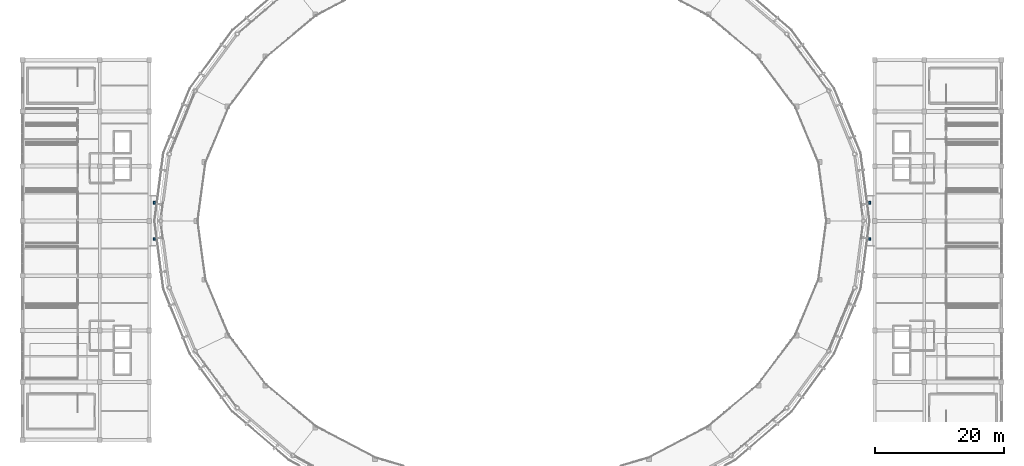
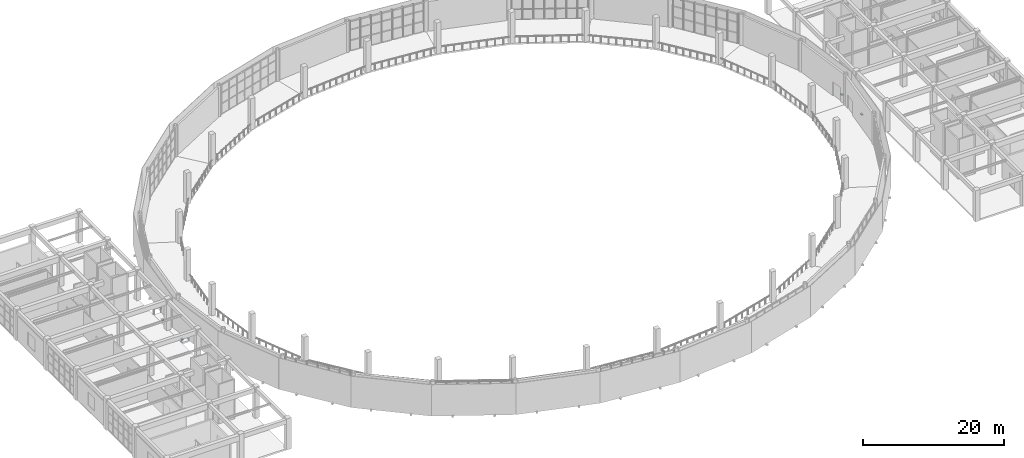
# One storey, part 37 of 40: 4 discrete accessories.
"""IFC4 building model written with IfcOpenShell, lengths in metres."""

from ifc_helpers import new_model, si_unit, direction, frame, origin, origin_2d, place, context, subcontext, project, spatial, rectangle, extrude, material, type_object, element, save


model = new_model("IFC4")

# Units and contexts
model_context = context("Model", 3, precision=1e-05, world=origin(), true_north=direction((0.0, 1.0)))
body_context = subcontext(model_context, "Body", "Model", "MODEL_VIEW")
ifc_project = project(units=[si_unit("LENGTHUNIT", "METRE"), si_unit("AREAUNIT", "SQUARE_METRE"), si_unit("VOLUMEUNIT", "CUBIC_METRE"), si_unit("PLANEANGLEUNIT", "RADIAN"), si_unit("MASSUNIT", "GRAM", prefix="KILO")], contexts=[model_context])

# Site, building, storey
site_placement = place(None, origin())
site = spatial("IfcSite", under=ifc_project, at=site_placement, CompositionType="ELEMENT")
building_placement = place(site_placement, origin())
building = spatial("IfcBuilding", under=site, at=building_placement, Name="Cuetzalor Civic Arena", CompositionType="ELEMENT")
storey_placement = place(building_placement, frame((0.0, 0.0, 26.39990234375)))
storey = spatial("IfcBuildingStorey", under=building, at=storey_placement, Name="L05", CompositionType="ELEMENT", Elevation=26.39990234375)

# Discrete accessories
ifc_material = material(Name="Guided PTFE elastomeric Steel S355 bearing", Category="steel")
discrete_accessory_type = type_object("IfcDiscreteAccessoryType", Name="GuidedSeismicBearing_PTFE", PredefinedType="SHOE", material=ifc_material)
for number, where, z_axis, x_axis, name in (
    (1, (-55.550048828125, -2.800048828125, -0.43994140625), (0.0, 0.0, 1.0), (1.0, 0.0, 0.0), "Guided PTFE Sliding Bridge Bearing V4W-L05-1"),
    (2, (-55.550048828125, 2.800048828125, -0.43994140625), (0.0, 0.0, 1.0), (1.0, 0.0, 0.0), "Guided PTFE Sliding Bridge Bearing V4W-L05-2"),
    (3, (55.550048828125, -2.800048828125, -0.43994140625), (0.0, 0.0, 1.0), (1.0, 0.0, 0.0), "Guided PTFE Sliding Bridge Bearing V4E-L05-1"),
    (4, (55.550048828125, 2.800048828125, -0.43994140625), (0.0, 0.0, 1.0), (1.0, 0.0, 0.0), "Guided PTFE Sliding Bridge Bearing V4E-L05-2"),
):
    element("IfcDiscreteAccessory", number, at=place(storey_placement, frame(where, z_axis=z_axis, x_axis=x_axis)), inside=storey, type_object=discrete_accessory_type, Name=name, PredefinedType="SHOE", context=body_context, shape_type="SweptSolid", body=[
        extrude(rectangle(XDim=0.300048828125, YDim=0.449951171875, at=origin_2d()), origin(), (0.0, 0.0, 1.0), 0.179931640625),
    ])

save(model, "model.ifc")
